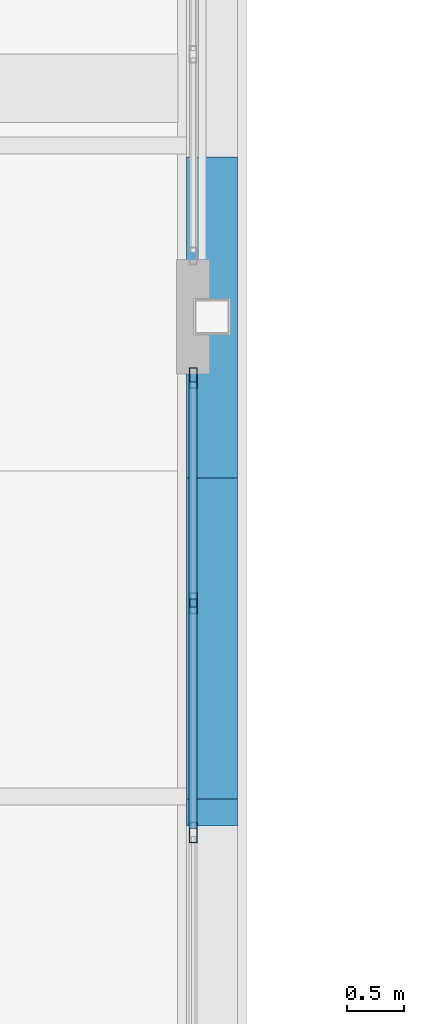
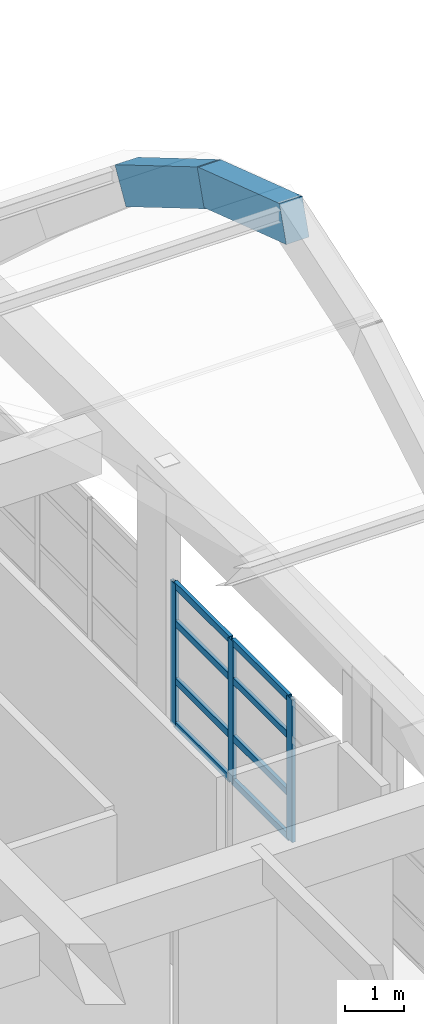
# One storey, part 53 of 103: 11 members, 2 beams, 1 element without a shape of its own.
"""IFC4 building model written with IfcOpenShell, lengths in metres."""

import ifcopenshell
import ifcopenshell.guid

model = None  # the IFC model being written
_history = None  # IfcOwnerHistory: only IFC2X3 demands one
_inside = {}  # id of a spatial element -> (the spatial element, [elements in it])
_under = {}  # id of a project, library or spatial element -> (it, [spatial elements below it])
_declared = {}  # id of a project -> (the project, [libraries it declares])
_typed = {}  # id of a type object -> (the type object, [elements of that type])
_made_of = {}  # id of a material, layer set ... -> (it, [elements and type objects made of it])


def new_model(schema):
    """Start an empty IFC model of exactly this schema.

    Asked for "IFC4X3", IfcOpenShell would pick the latest addendum, in which some entities
    have other attributes; the version numbers below select the first issue.
    IFC2X3 requires an IfcOwnerHistory on every rooted entity: one is made here for all.
    """
    global model, _history
    if schema == "IFC4X3":
        model = ifcopenshell.file(schema_version=(4, 3, 0, 0))
    else:
        model = ifcopenshell.file(schema=schema)
    _inside.clear()
    _under.clear()
    _declared.clear()
    _typed.clear()
    _made_of.clear()
    _history = None
    if model.schema == "IFC2X3":
        org = make("IfcOrganization", Name="unknown")
        user = make(
            "IfcPersonAndOrganization",
            ThePerson=make("IfcPerson", FamilyName="unknown"),
            TheOrganization=org,
        )
        app = make(
            "IfcApplication",
            ApplicationDeveloper=org,
            Version="unknown",
            ApplicationFullName="unknown",
            ApplicationIdentifier="unknown",
        )
        _history = make(
            "IfcOwnerHistory",
            OwningUser=user,
            OwningApplication=app,
            ChangeAction="ADDED",
            CreationDate=0,
        )
    return model


def make(cls, **values):
    """One entity of the class cls with the attributes given. An attribute that is None is left unset."""
    return model.create_entity(
        cls, **{name: value for name, value in values.items() if value is not None}
    )


def rooted(cls, **values):
    """An entity with a GlobalId (a new one), such as an element, a storey or a relation."""
    return make(cls, GlobalId=ifcopenshell.guid.new(), OwnerHistory=_history, **values)


def si_unit(unit_type, name, prefix=None):
    """IfcSIUnit, for example si_unit("LENGTHUNIT", "METRE", prefix="MILLI")."""
    return make("IfcSIUnit", UnitType=unit_type, Prefix=prefix, Name=name)


def assignment(units):
    """IfcUnitAssignment: the units of a project."""
    return None if units is None else make("IfcUnitAssignment", Units=units)


def point(xyz):
    """IfcCartesianPoint."""
    return None if xyz is None else make("IfcCartesianPoint", Coordinates=xyz)


def direction(xyz):
    """IfcDirection."""
    return None if xyz is None else make("IfcDirection", DirectionRatios=xyz)


def frame(location, z_axis=None, x_axis=None):
    """IfcAxis2Placement3D, a coordinate frame: its origin and axes. An axis left out is left unset."""
    return make(
        "IfcAxis2Placement3D",
        Location=point(location),
        Axis=direction(z_axis),
        RefDirection=direction(x_axis),
    )


def frame_2d(location, x_axis=None):
    """IfcAxis2Placement2D, a coordinate frame in the plane: its origin and x axis."""
    return make(
        "IfcAxis2Placement2D", Location=point(location), RefDirection=direction(x_axis)
    )


def origin():
    """The frame at (0, 0, 0) with its axes left unset."""
    return frame((0.0, 0.0, 0.0))


def origin_2d():
    """The frame at (0, 0) in the plane with its x axis left unset."""
    return frame_2d((0.0, 0.0))


def place(relative_to, where):
    """IfcLocalPlacement: puts the frame where relative to a parent placement (None: the world)."""
    return make(
        "IfcLocalPlacement", PlacementRelTo=relative_to, RelativePlacement=where
    )


def context(
    kind, dimensions, precision=None, world=None, true_north=None, identifier=None
):
    """IfcGeometricRepresentationContext, for example the 3D "Model" context."""
    return make(
        "IfcGeometricRepresentationContext",
        ContextIdentifier=identifier,
        ContextType=kind,
        CoordinateSpaceDimension=dimensions,
        Precision=precision,
        WorldCoordinateSystem=world,
        TrueNorth=true_north,
    )


def subcontext(parent, identifier, kind, view, scale=None):
    """IfcGeometricRepresentationSubContext, for example "Body" below "Model"."""
    return make(
        "IfcGeometricRepresentationSubContext",
        ContextIdentifier=identifier,
        ContextType=kind,
        ParentContext=parent,
        TargetScale=scale,
        TargetView=view,
    )


def project(units=None, contexts=None):
    """IfcProject with its units and contexts."""
    return rooted(
        "IfcProject",
        Name="project",
        RepresentationContexts=contexts,
        UnitsInContext=assignment(units),
    )


def spatial(cls, under=None, at=None, **own):
    """A site, building, storey or space (cls), placed at a placement, below another one or the project."""
    s = rooted(cls, ObjectPlacement=at, **own)
    if under is not None:
        _under.setdefault(under.id(), (under, []))[1].append(s)
    return s


def profile(cls, at=None, kind="AREA", **sizes):
    """A parametric profile (cls). Its sizes go by their IFC names, for example OverallWidth=200.0."""
    return make(cls, ProfileType=kind, Position=at, **sizes)


def rectangle(**sizes):
    """IfcRectangleProfileDef."""
    return profile("IfcRectangleProfileDef", **sizes)


def hollow_rectangle(**sizes):
    """IfcRectangleHollowProfileDef."""
    return profile("IfcRectangleHollowProfileDef", **sizes)


def extrude(swept, where, along, depth):
    """IfcExtrudedAreaSolid: the profile swept, set in the frame where, extruded along a direction by depth."""
    return make(
        "IfcExtrudedAreaSolid",
        SweptArea=swept,
        Position=where,
        ExtrudedDirection=direction(along),
        Depth=depth,
    )


def shape(context_of_items, identifier, shape_type, items):
    """IfcShapeRepresentation: the items that make up one representation, for example the "Body"."""
    return make(
        "IfcShapeRepresentation",
        ContextOfItems=context_of_items,
        RepresentationIdentifier=identifier,
        RepresentationType=shape_type,
        Items=items,
    )


def material(Name=None, Category=None):
    """IfcMaterial."""
    return make("IfcMaterial", Name=Name, Category=Category)


def layer(
    of_material, thickness, ventilated=None, Name=None, Category=None, Priority=None
):
    """IfcMaterialLayer: one layer of a wall or slab, of a material (None: an air gap)."""
    return make(
        "IfcMaterialLayer",
        Material=of_material,
        LayerThickness=thickness,
        IsVentilated=ventilated,
        Name=Name,
        Category=Category,
        Priority=Priority,
    )


def layer_set(layers, Name=None):
    """IfcMaterialLayerSet."""
    return make("IfcMaterialLayerSet", MaterialLayers=layers, LayerSetName=Name)


def material_profile(
    of_material, cross_section, Name=None, Category=None, Priority=None
):
    """IfcMaterialProfile: a cross section and its material."""
    return make(
        "IfcMaterialProfile",
        Name=Name,
        Material=of_material,
        Profile=cross_section,
        Priority=Priority,
        Category=Category,
    )


def profile_set(profiles, Name=None, composite=None):
    """IfcMaterialProfileSet."""
    return make(
        "IfcMaterialProfileSet",
        Name=Name,
        MaterialProfiles=profiles,
        CompositeProfile=composite,
    )


def made_of(thing, what):
    """Note that an element or type object is made of a material, layer set ...; save() writes the relation."""
    if what is not None:
        _made_of.setdefault(what.id(), (what, []))[1].append(thing)
    return thing


def type_object(cls, material=None, **own):
    """A type object (cls), such as IfcWallType, which elements share."""
    return made_of(rooted(cls, **own), material)


def element(
    cls,
    number,
    at=None,
    inside=None,
    cuts=None,
    type_object=None,
    material=None,
    context=None,
    identifier="Body",
    shape_type=None,
    held_by="IfcProductDefinitionShape",
    body=None,
    shapes=None,
    **own,
):
    """One element of the class cls, such as IfcWall. Its Tag is "e" and its number.

    at: its placement. inside: the storey or other place that contains it. cuts: it is an
    opening in that element (IfcRelVoidsElement). A single representation is given by context,
    identifier, shape_type and body (its items); several are given by shapes. held_by: the class
    of the entity that holds the representations. save() writes the other relations.
    """
    e = rooted(cls, Tag="e%d" % number, ObjectPlacement=at, **own)
    if body is not None:
        shapes = [shape(context, identifier, shape_type, body)]
    if shapes is not None:
        e.Representation = make(held_by, Representations=shapes)
    if inside is not None:
        _inside.setdefault(inside.id(), (inside, []))[1].append(e)
    if cuts is not None:
        rooted(
            "IfcRelVoidsElement", RelatingBuildingElement=cuts, RelatedOpeningElement=e
        )
    if type_object is not None:
        _typed.setdefault(type_object.id(), (type_object, []))[1].append(e)
    return made_of(e, material)


def aggregate(whole, parts):
    """IfcRelAggregates: a whole, such as a stair, and the parts it consists of."""
    return rooted("IfcRelAggregates", RelatingObject=whole, RelatedObjects=parts)


def save(model, path):
    """Write the relations noted so far, then the file.

    IfcRelAggregates (storeys below a building ...), IfcRelContainedInSpatialStructure (elements
    in a storey), IfcRelDefinesByType, IfcRelAssociatesMaterial and IfcRelDeclares: one each for
    every whole, place, type object, material and project.
    """
    for whole, parts in _under.values():
        aggregate(whole, parts)
    for where, things in _inside.values():
        rooted(
            "IfcRelContainedInSpatialStructure",
            RelatedElements=things,
            RelatingStructure=where,
        )
    for kind, things in _typed.values():
        rooted("IfcRelDefinesByType", RelatedObjects=things, RelatingType=kind)
    for what, things in _made_of.values():
        rooted("IfcRelAssociatesMaterial", RelatedObjects=things, RelatingMaterial=what)
    for by, libraries in _declared.values():
        rooted("IfcRelDeclares", RelatingContext=by, RelatedDefinitions=libraries)
    model.write(path)


model = new_model("IFC4")

# Units and contexts
model_context = context("Model", 3, precision=1e-05, world=origin(), true_north=direction((0.0, 1.0)))
body_context = subcontext(model_context, "Body", "Model", "MODEL_VIEW")
ifc_project = project(units=[si_unit("LENGTHUNIT", "METRE"), si_unit("AREAUNIT", "SQUARE_METRE"), si_unit("VOLUMEUNIT", "CUBIC_METRE"), si_unit("PLANEANGLEUNIT", "RADIAN"), si_unit("MASSUNIT", "GRAM", prefix="KILO")], contexts=[model_context])

# Site, building, storey
site_placement = place(None, origin())
site = spatial("IfcSite", under=ifc_project, at=site_placement, CompositionType="ELEMENT")
building_placement = place(site_placement, origin())
building = spatial("IfcBuilding", under=site, at=building_placement, Name="Quendrovan Civic Courthouse", CompositionType="ELEMENT")
storey_placement = place(building_placement, frame((0.0, 0.0, 15.300048828125)))
storey = spatial("IfcBuildingStorey", under=building, at=storey_placement, Name="L04", CompositionType="ELEMENT", Elevation=15.300048828125)

# Beams
ifc_material_1 = material(Name="Concrete C40/50", Category="concrete")
ifc_material_profile_1 = material_profile(ifc_material_1, rectangle(XDim=0.449951171875, YDim=0.75, at=origin_2d()), Name="RC-VRIB-450x750")
ifc_profile_set_1 = profile_set([ifc_material_profile_1], Name="Concrete C40/50")
beam_type = type_object("IfcBeamType", Name="BM-VRIB750", PredefinedType="BEAM", material=ifc_profile_set_1)
beam_1_placement = place(storey_placement, frame((92.39990234375, 76.05859375, 12.746337890625), z_axis=(0.0, 0.948839823913, -0.315757800468), x_axis=(-1.0, 0.0, 0.0)))
element("IfcBeam", 1, at=beam_1_placement, inside=storey, type_object=beam_type, Name="BV2 Concrete Vault Arch Rib A8-C5", PredefinedType="BEAM", context=body_context, shape_type="SweptSolid", body=[
    extrude(rectangle(XDim=0.449951171875, YDim=0.75, at=origin_2d()), origin(), (0.0, 0.0, 1.0), 2.96142578125),
])
beam_2_placement = place(storey_placement, frame((92.39990234375, 78.7578125, 11.861572265625), z_axis=(0.0, 0.861355141515, -0.508003267889), x_axis=(-1.0, 0.0, 0.0)))
element("IfcBeam", 2, at=beam_2_placement, inside=storey, type_object=beam_type, Name="BV2 Concrete Vault Arch Rib A8-C6", PredefinedType="BEAM", context=body_context, shape_type="SweptSolid", body=[
    extrude(rectangle(XDim=0.449951171875, YDim=0.75, at=origin_2d()), origin(), (0.0, 0.0, 1.0), 3.308837890625),
])

# Curtain wall, members
ifc_material_2 = material(Name="Bronze anodised aluminium and low-E glass", Category="aluminium")
ifc_layer = layer(ifc_material_2, 0.179931640625, Name="Bronze anodised aluminium and low-E glass")
ifc_layer_set = layer_set([ifc_layer], Name="Bronze anodised aluminium and low-E glass")
curtain_wall_type = type_object("IfcCurtainWallType", Name="CW-U60x30", PredefinedType="USERDEFINED", material=ifc_layer_set)
curtain_wall_placement = place(storey_placement, origin())
curtain_wall = element("IfcCurtainWall", 3, at=curtain_wall_placement, inside=storey, type_object=curtain_wall_type, Name="L04 Unitised Hurricane Curtain Wall CW-156", ObjectType="UNITISED CURTAIN WALL", PredefinedType="USERDEFINED")
ifc_material_3 = material(Name="Bronze anodised aluminium", Category="aluminium")
ifc_material_profile_2 = material_profile(ifc_material_3, hollow_rectangle(XDim=0.070068359375, YDim=0.179931640625, WallThickness=0.00390625, at=origin_2d()), Name="CW-MULL-70x180")
ifc_profile_set_2 = profile_set([ifc_material_profile_2], Name="Bronze anodised aluminium")
member_type_1 = type_object("IfcMemberType", Name="CW-MULL-A", PredefinedType="MULLION", material=ifc_profile_set_2)
member_1_placement = place(storey_placement, frame((92.235107421875, 79.864990234375, 0.0), z_axis=(0.0, 0.0, 1.0), x_axis=(1.0, 0.0, 0.0)))
member_1 = element("IfcMember", 4, at=member_1_placement, type_object=member_type_1, Name="CW-156 mullion 1", PredefinedType="MULLION", context=body_context, shape_type="SweptSolid", body=[
    extrude(hollow_rectangle(XDim=0.070068359375, YDim=0.179931640625, WallThickness=0.00390625, at=origin_2d()), origin(), (0.0, 0.0, 1.0), 2.969970703125),
])
member_2_placement = place(storey_placement, frame((92.235107421875, 77.8916015625, 0.0), z_axis=(0.0, 0.0, 1.0), x_axis=(1.0, 0.0, 0.0)))
member_2 = element("IfcMember", 5, at=member_2_placement, type_object=member_type_1, Name="CW-156 mullion 2", PredefinedType="MULLION", context=body_context, shape_type="SweptSolid", body=[
    extrude(hollow_rectangle(XDim=0.070068359375, YDim=0.179931640625, WallThickness=0.00390625, at=origin_2d()), origin(), (0.0, 0.0, 1.0), 2.969970703125),
])
member_3_placement = place(storey_placement, frame((92.235107421875, 75.88330078125, 0.0), z_axis=(0.0, 0.0, 1.0), x_axis=(1.0, 0.0, 0.0)))
member_3 = element("IfcMember", 6, at=member_3_placement, type_object=member_type_1, Name="CW-156 mullion 3", PredefinedType="MULLION", context=body_context, shape_type="SweptSolid", body=[
    extrude(hollow_rectangle(XDim=0.070068359375, YDim=0.179931640625, WallThickness=0.00390625, at=origin_2d()), origin(), (0.0, 0.0, 1.0), 2.969970703125),
])
ifc_material_profile_3 = material_profile(ifc_material_3, hollow_rectangle(XDim=0.070068359375, YDim=0.139892578125, WallThickness=0.00390625, at=origin_2d()), Name="CW-TRAN-70x140")
ifc_profile_set_3 = profile_set([ifc_material_profile_3], Name="Bronze anodised aluminium")
member_type_2 = type_object("IfcMemberType", Name="CW-TRAN-A", PredefinedType="USERDEFINED", material=ifc_profile_set_3)
member_4_placement = place(storey_placement, frame((92.235107421875, 79.830078125, 0.034912109375), z_axis=(0.0, -1.0, 0.0), x_axis=(1.0, 0.0, 0.0)))
member_4 = element("IfcMember", 7, at=member_4_placement, type_object=member_type_2, Name="CW-156 transom 1.1", ObjectType="TRANSOM", PredefinedType="USERDEFINED", context=body_context, shape_type="SweptSolid", body=[
    extrude(hollow_rectangle(XDim=0.070068359375, YDim=0.139892578125, WallThickness=0.00390625, at=origin_2d()), origin(), (0.0, 0.0, 1.0), 1.9033203125),
])
member_5_placement = place(storey_placement, frame((92.235107421875, 79.830078125, 0.949951171875), z_axis=(0.0, -1.0, 0.0), x_axis=(1.0, 0.0, 0.0)))
member_5 = element("IfcMember", 8, at=member_5_placement, type_object=member_type_2, Name="CW-156 transom 1.2", ObjectType="TRANSOM", PredefinedType="USERDEFINED", context=body_context, shape_type="SweptSolid", body=[
    extrude(hollow_rectangle(XDim=0.070068359375, YDim=0.139892578125, WallThickness=0.00390625, at=origin_2d()), origin(), (0.0, 0.0, 1.0), 1.9033203125),
])
member_6_placement = place(storey_placement, frame((92.235107421875, 79.830078125, 2.14990234375), z_axis=(0.0, -1.0, 0.0), x_axis=(1.0, 0.0, 0.0)))
member_6 = element("IfcMember", 9, at=member_6_placement, type_object=member_type_2, Name="CW-156 transom 1.3", ObjectType="TRANSOM", PredefinedType="USERDEFINED", context=body_context, shape_type="SweptSolid", body=[
    extrude(hollow_rectangle(XDim=0.070068359375, YDim=0.139892578125, WallThickness=0.00390625, at=origin_2d()), origin(), (0.0, 0.0, 1.0), 1.9033203125),
])
member_7_placement = place(storey_placement, frame((92.235107421875, 79.830078125, 2.93505859375), z_axis=(0.0, -1.0, 0.0), x_axis=(1.0, 0.0, 0.0)))
member_7 = element("IfcMember", 10, at=member_7_placement, type_object=member_type_2, Name="CW-156 transom 1.4", ObjectType="TRANSOM", PredefinedType="USERDEFINED", context=body_context, shape_type="SweptSolid", body=[
    extrude(hollow_rectangle(XDim=0.070068359375, YDim=0.139892578125, WallThickness=0.00390625, at=origin_2d()), origin(), (0.0, 0.0, 1.0), 1.9033203125),
])
member_8_placement = place(storey_placement, frame((92.235107421875, 77.856689453125, 0.034912109375), z_axis=(0.0, -1.0, 0.0), x_axis=(1.0, 0.0, 0.0)))
member_8 = element("IfcMember", 11, at=member_8_placement, type_object=member_type_2, Name="CW-156 transom 2.1", ObjectType="TRANSOM", PredefinedType="USERDEFINED", context=body_context, shape_type="SweptSolid", body=[
    extrude(hollow_rectangle(XDim=0.070068359375, YDim=0.139892578125, WallThickness=0.00390625, at=origin_2d()), origin(), (0.0, 0.0, 1.0), 1.9384765625),
])
member_9_placement = place(storey_placement, frame((92.235107421875, 77.856689453125, 0.949951171875), z_axis=(0.0, -1.0, 0.0), x_axis=(1.0, 0.0, 0.0)))
member_9 = element("IfcMember", 12, at=member_9_placement, type_object=member_type_2, Name="CW-156 transom 2.2", ObjectType="TRANSOM", PredefinedType="USERDEFINED", context=body_context, shape_type="SweptSolid", body=[
    extrude(hollow_rectangle(XDim=0.070068359375, YDim=0.139892578125, WallThickness=0.00390625, at=origin_2d()), origin(), (0.0, 0.0, 1.0), 1.9384765625),
])
member_10_placement = place(storey_placement, frame((92.235107421875, 77.856689453125, 2.14990234375), z_axis=(0.0, -1.0, 0.0), x_axis=(1.0, 0.0, 0.0)))
member_10 = element("IfcMember", 13, at=member_10_placement, type_object=member_type_2, Name="CW-156 transom 2.3", ObjectType="TRANSOM", PredefinedType="USERDEFINED", context=body_context, shape_type="SweptSolid", body=[
    extrude(hollow_rectangle(XDim=0.070068359375, YDim=0.139892578125, WallThickness=0.00390625, at=origin_2d()), origin(), (0.0, 0.0, 1.0), 1.9384765625),
])
member_11_placement = place(storey_placement, frame((92.235107421875, 77.856689453125, 2.93505859375), z_axis=(0.0, -1.0, 0.0), x_axis=(1.0, 0.0, 0.0)))
member_11 = element("IfcMember", 14, at=member_11_placement, type_object=member_type_2, Name="CW-156 transom 2.4", ObjectType="TRANSOM", PredefinedType="USERDEFINED", context=body_context, shape_type="SweptSolid", body=[
    extrude(hollow_rectangle(XDim=0.070068359375, YDim=0.139892578125, WallThickness=0.00390625, at=origin_2d()), origin(), (0.0, 0.0, 1.0), 1.9384765625),
])
aggregate(curtain_wall, [member_1, member_2, member_3, member_4, member_5, member_6, member_7, member_8, member_9, member_10, member_11])

save(model, "model.ifc")
